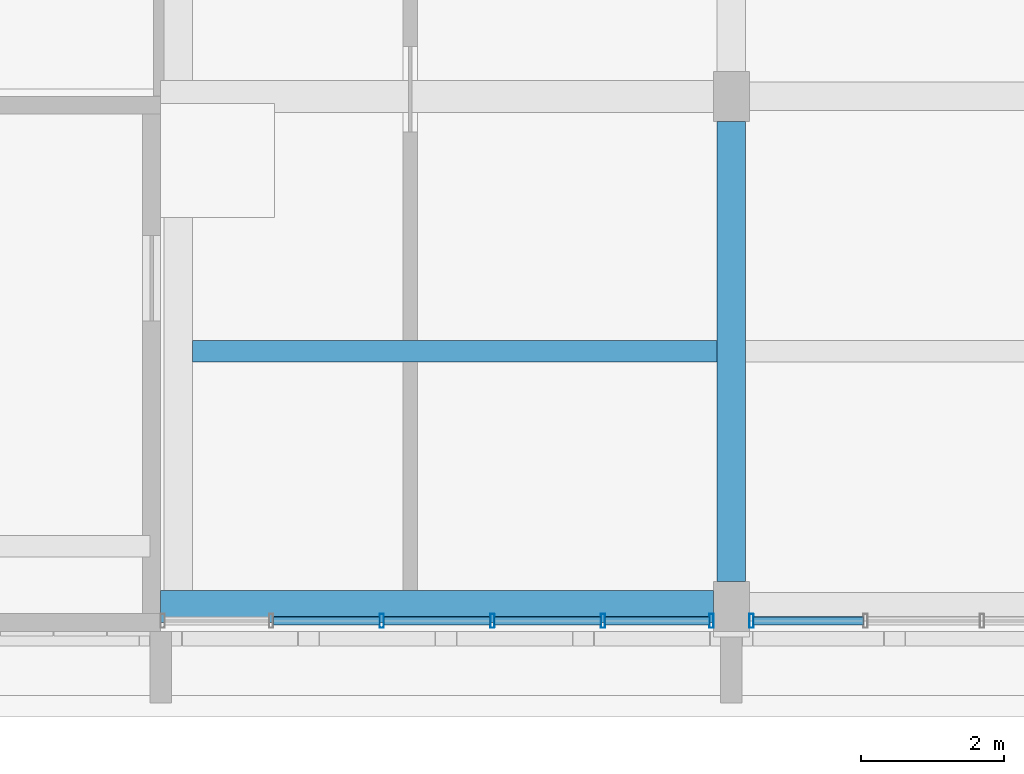
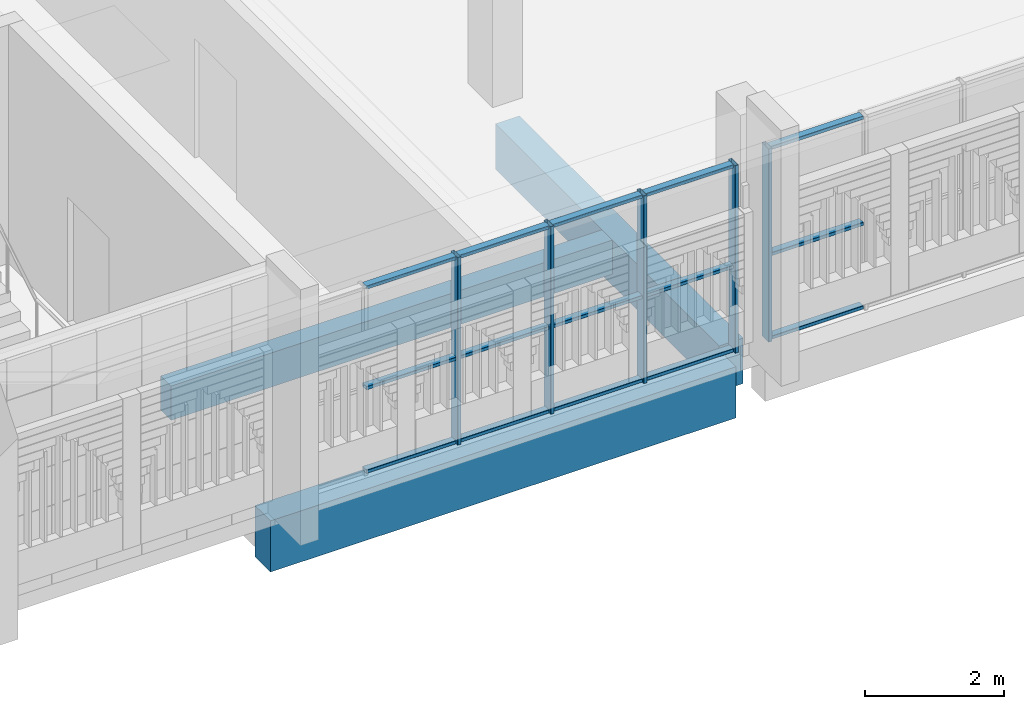
# One storey, part 19 of 92: 20 members, 3 beams, 2 elements without a shape of their own.
"""IFC4 building model written with IfcOpenShell, lengths in metres."""

from ifc_helpers import new_model, si_unit, direction, frame, origin, origin_2d, place, context, subcontext, project, spatial, rectangle, hollow_rectangle, extrude, material, material_profile, profile_set, type_object, element, aggregate, save


model = new_model("IFC4")

# Units and contexts
model_context = context("Model", 3, precision=1e-05, world=origin(), true_north=direction((0.0, 1.0)))
body_context = subcontext(model_context, "Body", "Model", "MODEL_VIEW")
ifc_project = project(units=[si_unit("LENGTHUNIT", "METRE"), si_unit("AREAUNIT", "SQUARE_METRE"), si_unit("VOLUMEUNIT", "CUBIC_METRE"), si_unit("PLANEANGLEUNIT", "RADIAN"), si_unit("MASSUNIT", "GRAM", prefix="KILO")], contexts=[model_context])

# Site, building, storey
site_placement = place(None, origin())
site = spatial("IfcSite", under=ifc_project, at=site_placement, CompositionType="ELEMENT")
building_placement = place(site_placement, origin())
building = spatial("IfcBuilding", under=site, at=building_placement, Name="Sun Court Science Centre", CompositionType="ELEMENT")
storey_placement = place(building_placement, frame((0.0, 0.0, 11.25)))
storey = spatial("IfcBuildingStorey", under=building, at=storey_placement, Name="L02", CompositionType="ELEMENT", Elevation=11.25)

# Curtain wall, member
ifc_material_1 = material(Name="Aluminium EN AW-6063 T6", Category="aluminium")
curtain_wall_type = type_object("IfcCurtainWallType", Name="Laboratory tall bay curtain wall 1500", PredefinedType="NOTDEFINED", material=ifc_material_1)
curtain_wall_1_placement = place(storey_placement, origin())
curtain_wall_1 = element("IfcCurtainWall", 1, at=curtain_wall_1_placement, inside=storey, type_object=curtain_wall_type, Name="Curtain wall V4 S L02 01", PredefinedType="NOTDEFINED")
ifc_material_2 = material(Name="Aluminium EN AW-6063 T6", Category="aluminium")
ifc_material_profile_1 = material_profile(ifc_material_2, hollow_rectangle(XDim=0.06005859375, YDim=0.199951171875, WallThickness=0.0048828125, InnerFilletRadius=0.0048828125, OuterFilletRadius=0.007568359375, at=origin_2d()), Name="AL 60x200x5")
ifc_profile_set_1 = profile_set([ifc_material_profile_1], Name="Aluminium EN AW-6063 T6")
member_type_1 = type_object("IfcMemberType", Name="Curtain wall mullion AL 60x200", PredefinedType="MULLION", material=ifc_profile_set_1)
member_1_placement = place(storey_placement, frame((95.280029296875, 6.14990234375, 0.0), z_axis=(0.0, 0.0, 1.0), x_axis=(-1.0, 0.0, 0.0)))
member_1 = element("IfcMember", 2, at=member_1_placement, type_object=member_type_1, Name="CW2-51 mullion 6", PredefinedType="MULLION", context=body_context, shape_type="SweptSolid", body=[
    extrude(hollow_rectangle(XDim=0.06005859375, YDim=0.199951171875, WallThickness=0.0048828125, InnerFilletRadius=0.0048828125, OuterFilletRadius=0.007568359375, at=origin_2d()), origin(), (0.0, 0.0, 1.0), 3.39990234375),
])

# Curtain wall, members
curtain_wall_2_placement = place(storey_placement, origin())
curtain_wall_2 = element("IfcCurtainWall", 3, at=curtain_wall_2_placement, inside=storey, type_object=curtain_wall_type, Name="Curtain wall V4 S L02 02", PredefinedType="NOTDEFINED")
member_2_placement = place(storey_placement, frame((90.10009765625, 6.14990234375, 0.0), z_axis=(0.0, 0.0, 1.0), x_axis=(-1.0, 0.0, 0.0)))
member_2 = element("IfcMember", 4, at=member_2_placement, type_object=member_type_1, Name="CW2-52 mullion 4", PredefinedType="MULLION", context=body_context, shape_type="SweptSolid", body=[
    extrude(hollow_rectangle(XDim=0.06005859375, YDim=0.199951171875, WallThickness=0.0048828125, InnerFilletRadius=0.0048828125, OuterFilletRadius=0.007568359375, at=origin_2d()), origin(), (0.0, 0.0, 1.0), 3.300048828125),
])
member_3_placement = place(storey_placement, frame((91.64990234375, 6.14990234375, 0.0), z_axis=(0.0, 0.0, 1.0), x_axis=(-1.0, 0.0, 0.0)))
member_3 = element("IfcMember", 5, at=member_3_placement, type_object=member_type_1, Name="CW2-52 mullion 3", PredefinedType="MULLION", context=body_context, shape_type="SweptSolid", body=[
    extrude(hollow_rectangle(XDim=0.06005859375, YDim=0.199951171875, WallThickness=0.0048828125, InnerFilletRadius=0.0048828125, OuterFilletRadius=0.007568359375, at=origin_2d()), origin(), (0.0, 0.0, 1.0), 3.300048828125),
])
member_4_placement = place(storey_placement, frame((93.199951171875, 6.14990234375, 0.0), z_axis=(0.0, 0.0, 1.0), x_axis=(-1.0, 0.0, 0.0)))
member_4 = element("IfcMember", 6, at=member_4_placement, type_object=member_type_1, Name="CW2-52 mullion 2", PredefinedType="MULLION", context=body_context, shape_type="SweptSolid", body=[
    extrude(hollow_rectangle(XDim=0.06005859375, YDim=0.199951171875, WallThickness=0.0048828125, InnerFilletRadius=0.0048828125, OuterFilletRadius=0.007568359375, at=origin_2d()), origin(), (0.0, 0.0, 1.0), 3.300048828125),
])
member_5_placement = place(storey_placement, frame((94.719970703125, 6.14990234375, 0.0), z_axis=(0.0, 0.0, 1.0), x_axis=(-1.0, 0.0, 0.0)))
member_5 = element("IfcMember", 7, at=member_5_placement, type_object=member_type_1, Name="CW2-52 mullion 1", PredefinedType="MULLION", context=body_context, shape_type="SweptSolid", body=[
    extrude(hollow_rectangle(XDim=0.06005859375, YDim=0.199951171875, WallThickness=0.0048828125, InnerFilletRadius=0.0048828125, OuterFilletRadius=0.007568359375, at=origin_2d()), origin(), (0.0, 0.0, 1.0), 3.300048828125),
])

# Member
ifc_material_3 = material(Name="Aluminium EN AW-6063 T6", Category="aluminium")
ifc_material_profile_2 = material_profile(ifc_material_3, hollow_rectangle(XDim=0.06005859375, YDim=0.1201171875, WallThickness=0.00390625, InnerFilletRadius=0.00390625, OuterFilletRadius=0.006103515625, at=origin_2d()), Name="AL 60x120x4")
ifc_profile_set_2 = profile_set([ifc_material_profile_2], Name="Aluminium EN AW-6063 T6")
member_type_2 = type_object("IfcMemberType", Name="Curtain wall transom AL 60x120", PredefinedType="USERDEFINED", material=ifc_profile_set_2)
member_6_placement = place(storey_placement, frame((96.85009765625, 6.14990234375, 0.030029296875), z_axis=(-1.0, 0.0, 0.0), x_axis=(0.0, 0.0, 1.0)))
member_6 = element("IfcMember", 8, at=member_6_placement, type_object=member_type_2, Name="CW2-51 transom 5.1", ObjectType="TRANSOM", PredefinedType="USERDEFINED", context=body_context, shape_type="SweptSolid", body=[
    extrude(hollow_rectangle(XDim=0.06005859375, YDim=0.1201171875, WallThickness=0.00390625, InnerFilletRadius=0.00390625, OuterFilletRadius=0.006103515625, at=origin_2d()), origin(), (0.0, 0.0, 1.0), 1.5400390625),
])

member_7_placement = place(storey_placement, frame((96.85009765625, 6.14990234375, 1.5), z_axis=(-1.0, 0.0, 0.0), x_axis=(0.0, 0.0, 1.0)))
member_7 = element("IfcMember", 9, at=member_7_placement, type_object=member_type_2, Name="CW2-51 transom 5.2", ObjectType="TRANSOM", PredefinedType="USERDEFINED", context=body_context, shape_type="SweptSolid", body=[
    extrude(hollow_rectangle(XDim=0.06005859375, YDim=0.1201171875, WallThickness=0.00390625, InnerFilletRadius=0.00390625, OuterFilletRadius=0.006103515625, at=origin_2d()), origin(), (0.0, 0.0, 1.0), 1.5400390625),
])

member_8_placement = place(storey_placement, frame((96.85009765625, 6.14990234375, 3.3701171875), z_axis=(-1.0, 0.0, 0.0), x_axis=(0.0, 0.0, 1.0)))
member_8 = element("IfcMember", 10, at=member_8_placement, type_object=member_type_2, Name="CW2-51 transom 5.3", ObjectType="TRANSOM", PredefinedType="USERDEFINED", context=body_context, shape_type="SweptSolid", body=[
    extrude(hollow_rectangle(XDim=0.06005859375, YDim=0.1201171875, WallThickness=0.00390625, InnerFilletRadius=0.00390625, OuterFilletRadius=0.006103515625, at=origin_2d()), origin(), (0.0, 0.0, 1.0), 1.5400390625),
])

aggregate(curtain_wall_1, [member_1, member_6, member_7, member_8])

member_9_placement = place(storey_placement, frame((90.070068359375, 6.14990234375, 0.030029296875), z_axis=(-1.0, 0.0, 0.0), x_axis=(0.0, 0.0, 1.0)))
member_9 = element("IfcMember", 11, at=member_9_placement, type_object=member_type_2, Name="CW2-52 transom 4.1", ObjectType="TRANSOM", PredefinedType="USERDEFINED", context=body_context, shape_type="SweptSolid", body=[
    extrude(hollow_rectangle(XDim=0.06005859375, YDim=0.1201171875, WallThickness=0.00390625, InnerFilletRadius=0.00390625, OuterFilletRadius=0.006103515625, at=origin_2d()), origin(), (0.0, 0.0, 1.0), 1.489990234375),
])

member_10_placement = place(storey_placement, frame((91.6201171875, 6.14990234375, 0.030029296875), z_axis=(-1.0, 0.0, 0.0), x_axis=(0.0, 0.0, 1.0)))
member_10 = element("IfcMember", 12, at=member_10_placement, type_object=member_type_2, Name="CW2-52 transom 3.1", ObjectType="TRANSOM", PredefinedType="USERDEFINED", context=body_context, shape_type="SweptSolid", body=[
    extrude(hollow_rectangle(XDim=0.06005859375, YDim=0.1201171875, WallThickness=0.00390625, InnerFilletRadius=0.00390625, OuterFilletRadius=0.006103515625, at=origin_2d()), origin(), (0.0, 0.0, 1.0), 1.490234375),
])

member_11_placement = place(storey_placement, frame((93.169921875, 6.14990234375, 0.030029296875), z_axis=(-1.0, 0.0, 0.0), x_axis=(0.0, 0.0, 1.0)))
member_11 = element("IfcMember", 13, at=member_11_placement, type_object=member_type_2, Name="CW2-52 transom 2.1", ObjectType="TRANSOM", PredefinedType="USERDEFINED", context=body_context, shape_type="SweptSolid", body=[
    extrude(hollow_rectangle(XDim=0.06005859375, YDim=0.1201171875, WallThickness=0.00390625, InnerFilletRadius=0.00390625, OuterFilletRadius=0.006103515625, at=origin_2d()), origin(), (0.0, 0.0, 1.0), 1.489990234375),
])

member_12_placement = place(storey_placement, frame((94.68994140625, 6.14990234375, 0.030029296875), z_axis=(-1.0, 0.0, 0.0), x_axis=(0.0, 0.0, 1.0)))
member_12 = element("IfcMember", 14, at=member_12_placement, type_object=member_type_2, Name="CW2-52 transom 1.1", ObjectType="TRANSOM", PredefinedType="USERDEFINED", context=body_context, shape_type="SweptSolid", body=[
    extrude(hollow_rectangle(XDim=0.06005859375, YDim=0.1201171875, WallThickness=0.00390625, InnerFilletRadius=0.00390625, OuterFilletRadius=0.006103515625, at=origin_2d()), origin(), (0.0, 0.0, 1.0), 1.4599609375),
])

member_13_placement = place(storey_placement, frame((90.070068359375, 6.14990234375, 1.5), z_axis=(-1.0, 0.0, 0.0), x_axis=(0.0, 0.0, 1.0)))
member_13 = element("IfcMember", 15, at=member_13_placement, type_object=member_type_2, Name="CW2-52 transom 4.2", ObjectType="TRANSOM", PredefinedType="USERDEFINED", context=body_context, shape_type="SweptSolid", body=[
    extrude(hollow_rectangle(XDim=0.06005859375, YDim=0.1201171875, WallThickness=0.00390625, InnerFilletRadius=0.00390625, OuterFilletRadius=0.006103515625, at=origin_2d()), origin(), (0.0, 0.0, 1.0), 1.489990234375),
])

member_14_placement = place(storey_placement, frame((91.6201171875, 6.14990234375, 1.5), z_axis=(-1.0, 0.0, 0.0), x_axis=(0.0, 0.0, 1.0)))
member_14 = element("IfcMember", 16, at=member_14_placement, type_object=member_type_2, Name="CW2-52 transom 3.2", ObjectType="TRANSOM", PredefinedType="USERDEFINED", context=body_context, shape_type="SweptSolid", body=[
    extrude(hollow_rectangle(XDim=0.06005859375, YDim=0.1201171875, WallThickness=0.00390625, InnerFilletRadius=0.00390625, OuterFilletRadius=0.006103515625, at=origin_2d()), origin(), (0.0, 0.0, 1.0), 1.490234375),
])

member_15_placement = place(storey_placement, frame((93.169921875, 6.14990234375, 1.5), z_axis=(-1.0, 0.0, 0.0), x_axis=(0.0, 0.0, 1.0)))
member_15 = element("IfcMember", 17, at=member_15_placement, type_object=member_type_2, Name="CW2-52 transom 2.2", ObjectType="TRANSOM", PredefinedType="USERDEFINED", context=body_context, shape_type="SweptSolid", body=[
    extrude(hollow_rectangle(XDim=0.06005859375, YDim=0.1201171875, WallThickness=0.00390625, InnerFilletRadius=0.00390625, OuterFilletRadius=0.006103515625, at=origin_2d()), origin(), (0.0, 0.0, 1.0), 1.489990234375),
])

member_16_placement = place(storey_placement, frame((94.68994140625, 6.14990234375, 1.5), z_axis=(-1.0, 0.0, 0.0), x_axis=(0.0, 0.0, 1.0)))
member_16 = element("IfcMember", 18, at=member_16_placement, type_object=member_type_2, Name="CW2-52 transom 1.2", ObjectType="TRANSOM", PredefinedType="USERDEFINED", context=body_context, shape_type="SweptSolid", body=[
    extrude(hollow_rectangle(XDim=0.06005859375, YDim=0.1201171875, WallThickness=0.00390625, InnerFilletRadius=0.00390625, OuterFilletRadius=0.006103515625, at=origin_2d()), origin(), (0.0, 0.0, 1.0), 1.4599609375),
])

member_17_placement = place(storey_placement, frame((90.070068359375, 6.14990234375, 3.27001953125), z_axis=(-1.0, 0.0, 0.0), x_axis=(0.0, 0.0, 1.0)))
member_17 = element("IfcMember", 19, at=member_17_placement, type_object=member_type_2, Name="CW2-52 transom 4.3", ObjectType="TRANSOM", PredefinedType="USERDEFINED", context=body_context, shape_type="SweptSolid", body=[
    extrude(hollow_rectangle(XDim=0.06005859375, YDim=0.1201171875, WallThickness=0.00390625, InnerFilletRadius=0.00390625, OuterFilletRadius=0.006103515625, at=origin_2d()), origin(), (0.0, 0.0, 1.0), 1.489990234375),
])

member_18_placement = place(storey_placement, frame((91.6201171875, 6.14990234375, 3.27001953125), z_axis=(-1.0, 0.0, 0.0), x_axis=(0.0, 0.0, 1.0)))
member_18 = element("IfcMember", 20, at=member_18_placement, type_object=member_type_2, Name="CW2-52 transom 3.3", ObjectType="TRANSOM", PredefinedType="USERDEFINED", context=body_context, shape_type="SweptSolid", body=[
    extrude(hollow_rectangle(XDim=0.06005859375, YDim=0.1201171875, WallThickness=0.00390625, InnerFilletRadius=0.00390625, OuterFilletRadius=0.006103515625, at=origin_2d()), origin(), (0.0, 0.0, 1.0), 1.490234375),
])

member_19_placement = place(storey_placement, frame((93.169921875, 6.14990234375, 3.27001953125), z_axis=(-1.0, 0.0, 0.0), x_axis=(0.0, 0.0, 1.0)))
member_19 = element("IfcMember", 21, at=member_19_placement, type_object=member_type_2, Name="CW2-52 transom 2.3", ObjectType="TRANSOM", PredefinedType="USERDEFINED", context=body_context, shape_type="SweptSolid", body=[
    extrude(hollow_rectangle(XDim=0.06005859375, YDim=0.1201171875, WallThickness=0.00390625, InnerFilletRadius=0.00390625, OuterFilletRadius=0.006103515625, at=origin_2d()), origin(), (0.0, 0.0, 1.0), 1.489990234375),
])

member_20_placement = place(storey_placement, frame((94.68994140625, 6.14990234375, 3.27001953125), z_axis=(-1.0, 0.0, 0.0), x_axis=(0.0, 0.0, 1.0)))
member_20 = element("IfcMember", 22, at=member_20_placement, type_object=member_type_2, Name="CW2-52 transom 1.3", ObjectType="TRANSOM", PredefinedType="USERDEFINED", context=body_context, shape_type="SweptSolid", body=[
    extrude(hollow_rectangle(XDim=0.06005859375, YDim=0.1201171875, WallThickness=0.00390625, InnerFilletRadius=0.00390625, OuterFilletRadius=0.006103515625, at=origin_2d()), origin(), (0.0, 0.0, 1.0), 1.4599609375),
])

aggregate(curtain_wall_2, [member_2, member_3, member_4, member_5, member_9, member_10, member_11, member_12, member_13, member_14, member_15, member_16, member_17, member_18, member_19, member_20])

# Beams
ifc_material_4 = material(Name="Concrete C25/30", Category="concrete")
ifc_material_profile_3 = material_profile(ifc_material_4, rectangle(XDim=0.39990234375, YDim=0.800048828125, at=origin_2d()), Name="RC 400x800")
ifc_profile_set_3 = profile_set([ifc_material_profile_3], Name="Concrete C25/30")
beam_type_1 = type_object("IfcBeamType", Name="RC girder 400x800", PredefinedType="BEAM", material=ifc_profile_set_3)
beam_1_placement = place(storey_placement, frame((95.0, 6.699951171875, -0.699951171875), z_axis=(0.0, 1.0, 0.0), x_axis=(-1.0, 0.0, 0.0)))
element("IfcBeam", 23, at=beam_1_placement, inside=storey, type_object=beam_type_1, Name="Girder L02 line 3", PredefinedType="BEAM", context=body_context, shape_type="SweptSolid", body=[
    extrude(rectangle(XDim=0.39990234375, YDim=0.800048828125, at=origin_2d()), origin(), (0.0, 0.0, 1.0), 6.449951171875),
])
ifc_material_5 = material(Name="Concrete C25/30", Category="concrete")
ifc_material_profile_4 = material_profile(ifc_material_5, rectangle(XDim=0.449951171875, YDim=0.89990234375, at=origin_2d()), Name="RC 450x900")
ifc_profile_set_4 = profile_set([ifc_material_profile_4], Name="Concrete C25/30")
beam_type_2 = type_object("IfcBeamType", Name="RC girder 450x900", PredefinedType="BEAM", material=ifc_profile_set_4)
beam_2_placement = place(storey_placement, frame((87.0, 6.35009765625, -0.75), z_axis=(1.0, 0.0, 0.0), x_axis=(0.0, 1.0, 0.0)))
element("IfcBeam", 24, at=beam_2_placement, inside=storey, type_object=beam_type_2, Name="Girder L02 row 1", PredefinedType="BEAM", context=body_context, shape_type="SweptSolid", body=[
    extrude(rectangle(XDim=0.449951171875, YDim=0.89990234375, at=origin_2d()), origin(), (0.0, 0.0, 1.0), 7.75),
])
ifc_material_6 = material(Name="Concrete C25/30", Category="concrete")
ifc_material_profile_5 = material_profile(ifc_material_6, rectangle(XDim=0.300048828125, YDim=0.60009765625, at=origin_2d()), Name="RC 300x600")
ifc_profile_set_5 = profile_set([ifc_material_profile_5], Name="Concrete C25/30")
beam_type_3 = type_object("IfcBeamType", Name="RC joist 300x600", PredefinedType="JOIST", material=ifc_profile_set_5)
beam_3_placement = place(storey_placement, frame((87.449951171875, 9.925048828125, -0.60009765625), z_axis=(1.0, 0.0, 0.0), x_axis=(0.0, 1.0, 0.0)))
element("IfcBeam", 25, at=beam_3_placement, inside=storey, type_object=beam_type_3, Name="Joist L02", PredefinedType="JOIST", context=body_context, shape_type="SweptSolid", body=[
    extrude(rectangle(XDim=0.300048828125, YDim=0.60009765625, at=origin_2d()), origin(), (0.0, 0.0, 1.0), 7.35009765625),
])

save(model, "model.ifc")
